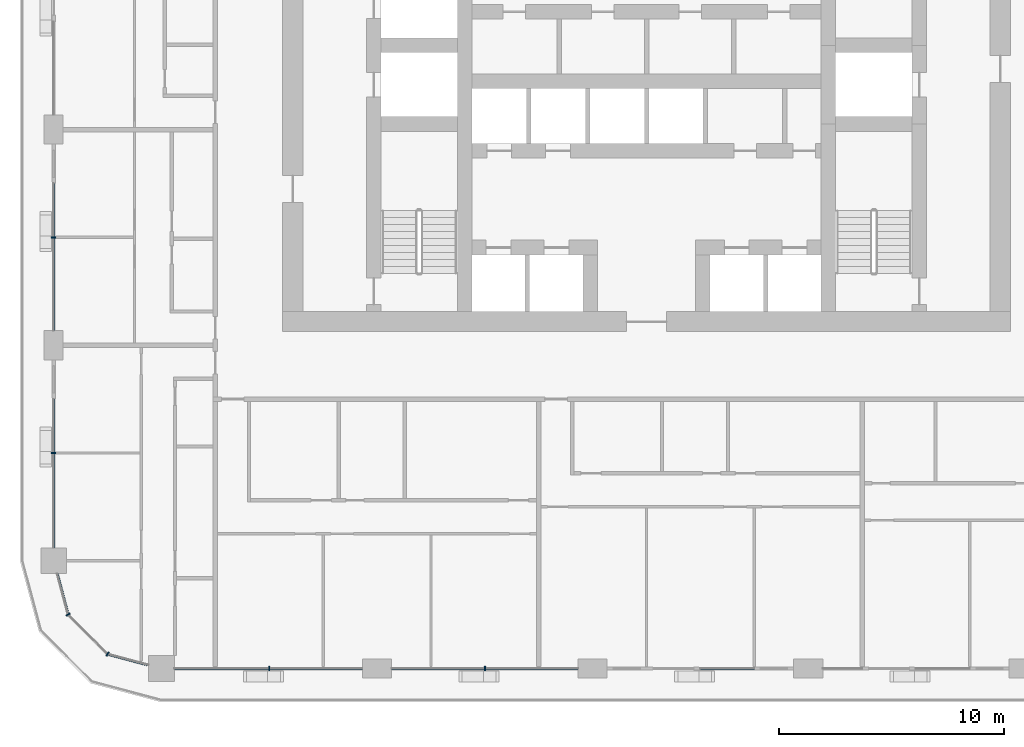
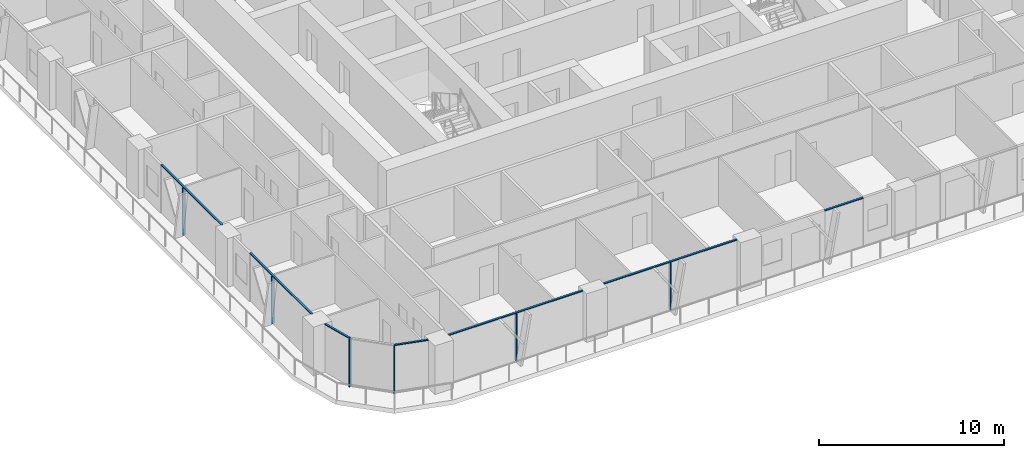
# One storey, part 2 of 22: 13 members, 6 elements without a shape of their own.
"""IFC4 building model written with IfcOpenShell, lengths in metres."""

from ifc_helpers import new_model, si_unit, direction, frame, origin, origin_2d, place, context, subcontext, project, spatial, rectangle, extrude, material, layer, layer_set, material_profile, profile_set, type_object, element, aggregate, save


model = new_model("IFC4")

# Units and contexts
model_context = context("Model", 3, precision=1e-05, world=origin(), true_north=direction((0.0, 1.0)))
body_context = subcontext(model_context, "Body", "Model", "MODEL_VIEW")
ifc_project = project(units=[si_unit("LENGTHUNIT", "METRE"), si_unit("AREAUNIT", "SQUARE_METRE"), si_unit("VOLUMEUNIT", "CUBIC_METRE"), si_unit("PLANEANGLEUNIT", "RADIAN"), si_unit("MASSUNIT", "GRAM", prefix="KILO")], contexts=[model_context])

# Site, building, storey
site_placement = place(None, origin())
site = spatial("IfcSite", under=ifc_project, at=site_placement, CompositionType="ELEMENT")
building_placement = place(site_placement, origin())
building = spatial("IfcBuilding", under=site, at=building_placement, Name="Madar Terraces", CompositionType="ELEMENT")
storey_placement = place(building_placement, frame((0.0, 0.0, 59.300048828125)))
storey = spatial("IfcBuildingStorey", under=building, at=storey_placement, Name="L14", CompositionType="ELEMENT", Elevation=59.300048828125)

# Curtain wall, member
ifc_material_1 = material(Name="Glass, ceramic frit dark grey, with black aluminium frame", Category="aluminium")
ifc_layer = layer(ifc_material_1, 0.199951171875)
ifc_layer_set = layer_set([ifc_layer], Name="Facade curtain wall, fritted glass")
curtain_wall_type = type_object("IfcCurtainWallType", Name="Facade curtain wall, fritted glass", PredefinedType="NOTDEFINED", material=ifc_layer_set)
curtain_wall_1_placement = place(storey_placement, origin())
curtain_wall_1 = element("IfcCurtainWall", 1, at=curtain_wall_1_placement, inside=storey, type_object=curtain_wall_type, Name="Outer skin curtain wall south bay 1", PredefinedType="NOTDEFINED")
ifc_material_2 = material(Name="Aluminium, black anodised", Category="aluminium")
ifc_material_profile_1 = material_profile(ifc_material_2, rectangle(XDim=0.199951171875, YDim=0.06005859375, at=origin_2d()), Name="Facade mullion 60x200")
ifc_profile_set_1 = profile_set([ifc_material_profile_1], Name="Aluminium, black anodised")
member_type_1 = type_object("IfcMemberType", Name="Facade mullion 60x200", PredefinedType="MULLION", material=ifc_profile_set_1)
member_1_placement = place(storey_placement, frame((14.39990234375, 0.0, 0.0), z_axis=(0.0, 0.0, 1.0), x_axis=(0.0, 1.0, 0.0)))
member_1 = element("IfcMember", 2, at=member_1_placement, type_object=member_type_1, Name="Mullion 1", PredefinedType="MULLION", context=body_context, shape_type="SweptSolid", body=[
    extrude(rectangle(XDim=0.199951171875, YDim=0.06005859375, at=origin_2d()), origin(), (0.0, 0.0, 1.0), 3.139892578125),
])

curtain_wall_2_placement = place(storey_placement, origin())
curtain_wall_2 = element("IfcCurtainWall", 3, at=curtain_wall_2_placement, inside=storey, type_object=curtain_wall_type, Name="Outer skin curtain wall south bay 2", PredefinedType="NOTDEFINED")
member_2_placement = place(storey_placement, frame((24.0, 0.0, 0.0), z_axis=(0.0, 0.0, 1.0), x_axis=(0.0, 1.0, 0.0)))
member_2 = element("IfcMember", 4, at=member_2_placement, type_object=member_type_1, Name="Mullion 1", PredefinedType="MULLION", context=body_context, shape_type="SweptSolid", body=[
    extrude(rectangle(XDim=0.199951171875, YDim=0.06005859375, at=origin_2d()), origin(), (0.0, 0.0, 1.0), 3.139892578125),
])

curtain_wall_3_placement = place(storey_placement, origin())
curtain_wall_3 = element("IfcCurtainWall", 5, at=curtain_wall_3_placement, inside=storey, type_object=curtain_wall_type, Name="Outer skin curtain wall west bay 3", PredefinedType="NOTDEFINED")
member_3_placement = place(storey_placement, frame((4.800048828125, 19.199951171875, 0.0), z_axis=(0.0, 0.0, 1.0), x_axis=(1.0, 0.0, 0.0)))
member_3 = element("IfcMember", 6, at=member_3_placement, type_object=member_type_1, Name="Mullion 1", PredefinedType="MULLION", context=body_context, shape_type="SweptSolid", body=[
    extrude(rectangle(XDim=0.199951171875, YDim=0.06005859375, at=origin_2d()), origin(), (0.0, 0.0, 1.0), 3.139892578125),
])

curtain_wall_4_placement = place(storey_placement, origin())
curtain_wall_4 = element("IfcCurtainWall", 7, at=curtain_wall_4_placement, inside=storey, type_object=curtain_wall_type, Name="Outer skin curtain wall west bay 4", PredefinedType="NOTDEFINED")
member_4_placement = place(storey_placement, frame((4.800048828125, 9.60009765625, 0.0), z_axis=(0.0, 0.0, 1.0), x_axis=(1.0, 0.0, 0.0)))
member_4 = element("IfcMember", 8, at=member_4_placement, type_object=member_type_1, Name="Mullion 1", PredefinedType="MULLION", context=body_context, shape_type="SweptSolid", body=[
    extrude(rectangle(XDim=0.199951171875, YDim=0.06005859375, at=origin_2d()), origin(), (0.0, 0.0, 1.0), 3.139892578125),
])

# Curtain wall, members
curtain_wall_5_placement = place(storey_placement, origin())
curtain_wall_5 = element("IfcCurtainWall", 9, at=curtain_wall_5_placement, inside=storey, type_object=curtain_wall_type, Name="Outer skin curtain wall south-west corner", PredefinedType="NOTDEFINED")
member_5_placement = place(storey_placement, frame((5.443115234375, 2.39990234375, 0.0), z_axis=(0.0, 0.0, 1.0), x_axis=(0.866025409797, 0.499999989586, 0.0)))
member_5 = element("IfcMember", 10, at=member_5_placement, type_object=member_type_1, Name="Mullion 1", PredefinedType="MULLION", context=body_context, shape_type="SweptSolid", body=[
    extrude(rectangle(XDim=0.199951171875, YDim=0.06005859375, at=origin_2d()), origin(), (0.0, 0.0, 1.0), 3.139892578125),
])
member_6_placement = place(storey_placement, frame((7.199951171875, 0.64306640625, 0.0), z_axis=(0.0, 0.0, 1.0), x_axis=(0.499999989586, 0.866025409797, 0.0)))
member_6 = element("IfcMember", 11, at=member_6_placement, type_object=member_type_1, Name="Mullion 2", PredefinedType="MULLION", context=body_context, shape_type="SweptSolid", body=[
    extrude(rectangle(XDim=0.199951171875, YDim=0.06005859375, at=origin_2d()), origin(), (0.0, 0.0, 1.0), 3.139892578125),
])

# Member
ifc_material_3 = material(Name="Aluminium, black anodised", Category="aluminium")
ifc_material_profile_2 = material_profile(ifc_material_3, rectangle(XDim=0.1201171875, YDim=0.06005859375, at=origin_2d()), Name="Facade transom 60x120")
ifc_profile_set_2 = profile_set([ifc_material_profile_2], Name="Aluminium, black anodised")
member_type_2 = type_object("IfcMemberType", Name="Facade transom 60x120", PredefinedType="USERDEFINED", material=ifc_profile_set_2)
member_7_placement = place(storey_placement, frame((10.175048828125, 0.0, 3.169921875), z_axis=(1.0, 0.0, 0.0), x_axis=(0.0, 1.0, 0.0)))
member_7 = element("IfcMember", 12, at=member_7_placement, type_object=member_type_2, Name="Transom 1", ObjectType="TRANSOM", PredefinedType="USERDEFINED", context=body_context, shape_type="SweptSolid", body=[
    extrude(rectangle(XDim=0.1201171875, YDim=0.06005859375, at=origin_2d()), origin(), (0.0, 0.0, 1.0), 8.375),
])

aggregate(curtain_wall_1, [member_1, member_7])

member_8_placement = place(storey_placement, frame((19.85009765625, 0.0, 3.169921875), z_axis=(1.0, 0.0, 0.0), x_axis=(0.0, 1.0, 0.0)))
member_8 = element("IfcMember", 13, at=member_8_placement, type_object=member_type_2, Name="Transom 1", ObjectType="TRANSOM", PredefinedType="USERDEFINED", context=body_context, shape_type="SweptSolid", body=[
    extrude(rectangle(XDim=0.1201171875, YDim=0.06005859375, at=origin_2d()), origin(), (0.0, 0.0, 1.0), 8.2998046875),
])

aggregate(curtain_wall_2, [member_2, member_8])

# Curtain wall, member
curtain_wall_6_placement = place(storey_placement, origin())
curtain_wall_6 = element("IfcCurtainWall", 14, at=curtain_wall_6_placement, inside=storey, type_object=curtain_wall_type, Name="Outer skin curtain wall south bay 3", PredefinedType="NOTDEFINED")
member_9_placement = place(storey_placement, frame((33.60009765625, 0.0, 3.169921875), z_axis=(1.0, 0.0, 0.0), x_axis=(0.0, 1.0, 0.0)))
member_9 = element("IfcMember", 15, at=member_9_placement, type_object=member_type_2, Name="Transom 1", ObjectType="TRANSOM", PredefinedType="USERDEFINED", context=body_context, shape_type="SweptSolid", body=[
    extrude(rectangle(XDim=0.1201171875, YDim=0.06005859375, at=origin_2d()), origin(), (0.0, 0.0, 1.0), 2.39990234375),
])
aggregate(curtain_wall_6, [member_9])

# Member
member_10_placement = place(storey_placement, frame((4.800048828125, 21.60009765625, 3.169921875), z_axis=(0.0, -1.0, 0.0), x_axis=(1.0, 0.0, 0.0)))
member_10 = element("IfcMember", 16, at=member_10_placement, type_object=member_type_2, Name="Transom 1", ObjectType="TRANSOM", PredefinedType="USERDEFINED", context=body_context, shape_type="SweptSolid", body=[
    extrude(rectangle(XDim=0.1201171875, YDim=0.06005859375, at=origin_2d()), origin(), (0.0, 0.0, 1.0), 6.550048828125),
])

aggregate(curtain_wall_3, [member_3, member_10])

member_11_placement = place(storey_placement, frame((4.800048828125, 12.0, 3.169921875), z_axis=(0.0, -1.0, 0.0), x_axis=(1.0, 0.0, 0.0)))
member_11 = element("IfcMember", 17, at=member_11_placement, type_object=member_type_2, Name="Transom 1", ObjectType="TRANSOM", PredefinedType="USERDEFINED", context=body_context, shape_type="SweptSolid", body=[
    extrude(rectangle(XDim=0.1201171875, YDim=0.06005859375, at=origin_2d()), origin(), (0.0, 0.0, 1.0), 6.625),
])

aggregate(curtain_wall_4, [member_4, member_11])

member_12_placement = place(storey_placement, frame((4.9541015625, 4.22509765625, 3.169921875), z_axis=(0.258782024434, -0.965935745187, 0.0), x_axis=(0.965935745187, 0.258782024434, 0.0)))
member_12 = element("IfcMember", 18, at=member_12_placement, type_object=member_type_2, Name="Transom 1", ObjectType="TRANSOM", PredefinedType="USERDEFINED", context=body_context, shape_type="SweptSolid", body=[
    extrude(rectangle(XDim=0.1201171875, YDim=0.06005859375, at=origin_2d()), origin(), (0.0, 0.0, 1.0), 1.859375),
])

member_13_placement = place(storey_placement, frame((7.22900390625, 0.63525390625, 3.169921875), z_axis=(0.965926950947, -0.258814847786, 0.0), x_axis=(0.258814847786, 0.965926950947, 0.0)))
member_13 = element("IfcMember", 19, at=member_13_placement, type_object=member_type_2, Name="Transom 3", ObjectType="TRANSOM", PredefinedType="USERDEFINED", context=body_context, shape_type="SweptSolid", body=[
    extrude(rectangle(XDim=0.1201171875, YDim=0.06005859375, at=origin_2d()), origin(), (0.0, 0.0, 1.0), 1.859130859375),
])

aggregate(curtain_wall_5, [member_5, member_12, member_6, member_13])

save(model, "model.ifc")
